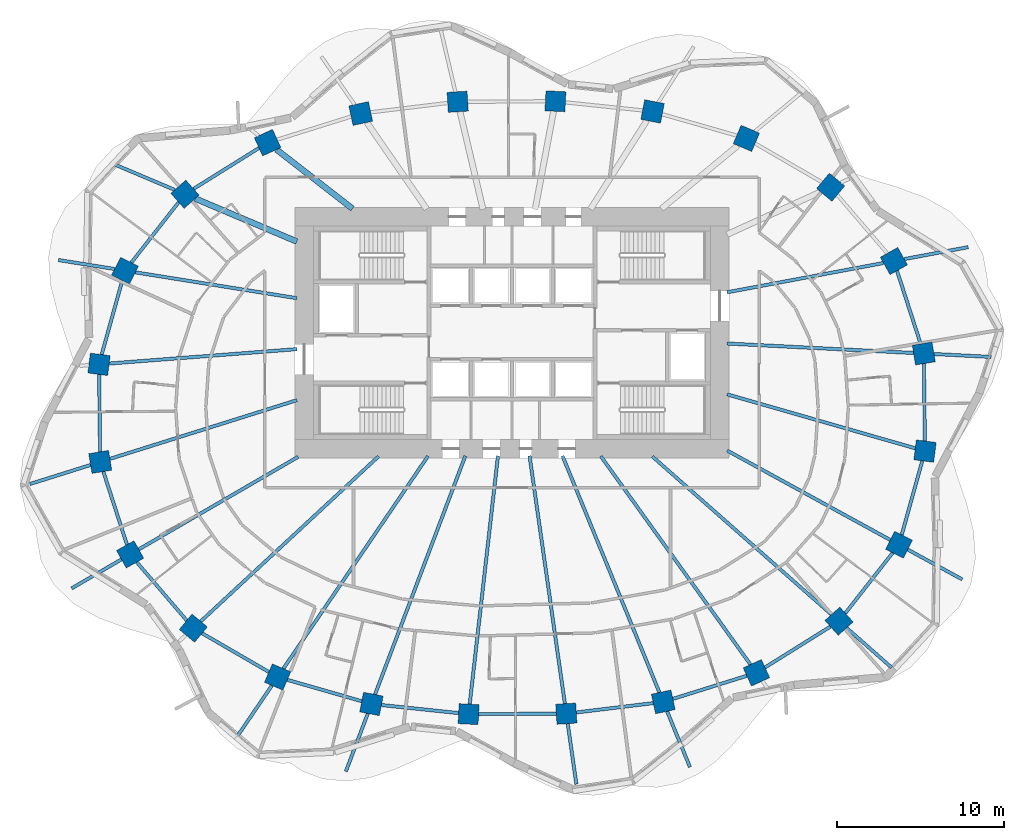
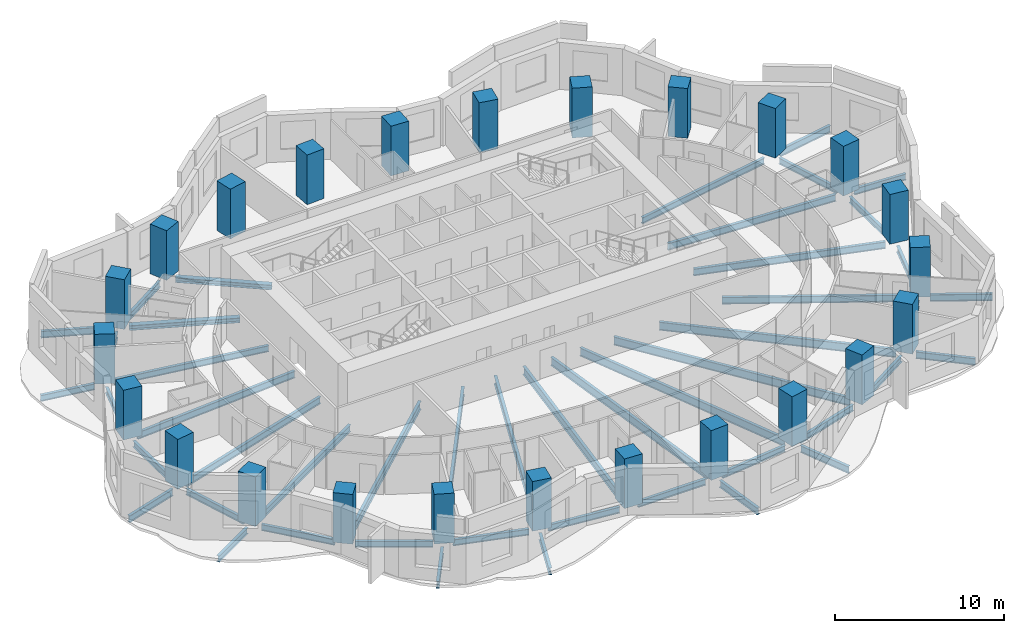
# One storey, part 1 of 11: 47 beams, 24 columns.
"""IFC4 building model written with IfcOpenShell, lengths in metres."""

from ifc_helpers import new_model, si_unit, direction, frame, origin, origin_2d, place, context, subcontext, project, spatial, rectangle, i_section, extrude, material, material_profile, profile_set, type_object, element, save


model = new_model("IFC4")

# Units and contexts
model_context = context("Model", 3, precision=1e-05, world=origin(), true_north=direction((0.0, 1.0)))
body_context = subcontext(model_context, "Body", "Model", "MODEL_VIEW")
ifc_project = project(units=[si_unit("LENGTHUNIT", "METRE"), si_unit("AREAUNIT", "SQUARE_METRE"), si_unit("VOLUMEUNIT", "CUBIC_METRE"), si_unit("PLANEANGLEUNIT", "RADIAN"), si_unit("MASSUNIT", "GRAM", prefix="KILO")], contexts=[model_context])

# Site, building, storey
site_placement = place(None, origin())
site = spatial("IfcSite", under=ifc_project, at=site_placement, CompositionType="ELEMENT")
building_placement = place(site_placement, origin())
building = spatial("IfcBuilding", under=site, at=building_placement, Name="Rubra Terraces Tower", CompositionType="ELEMENT")
storey_placement = place(building_placement, frame((0.0, 0.0, 114.0)))
storey = spatial("IfcBuildingStorey", under=building, at=storey_placement, Name="L27", CompositionType="ELEMENT", Elevation=114.0)

# Columns
ifc_material_1 = material(Name="Concrete C60", Category="concrete")
ifc_material_profile_1 = material_profile(ifc_material_1, rectangle(XDim=1.199951171875, YDim=1.199951171875, at=origin_2d()), Name="RC 1200x1200")
ifc_profile_set_1 = profile_set([ifc_material_profile_1], Name="Concrete C60")
column_type = type_object("IfcColumnType", Name="RING COLUMN RC 1200x1200 C60", PredefinedType="COLUMN", material=ifc_profile_set_1)
for number, where, z_axis, x_axis, name in (
    (1, (24.6689453125, 3.248046875, 0.0), (0.0, 0.0, 1.0), (-0.161559167715, 0.986863027642, 0.0), "column-L27-ring-01"),
    (2, (22.87890625, 8.787109375, 0.0), (0.0, 0.0, 1.0), (-0.48852601316, 0.872549330678, 0.0), "column-L27-ring-02"),
    (3, (19.092041015625, 13.208984375, 0.0), (0.0, 0.0, 1.0), (-0.76886986222, 0.63940529789, 0.0), "column-L27-ring-03"),
    (4, (14.0419921875, 16.135986328125, 0.0), (0.0, 0.0, 1.0), (-0.920167856842, 0.391524092789, 0.0), "column-L27-ring-04"),
    (5, (8.422119140625, 17.7490234375, 0.0), (0.0, 0.0, 1.0), (-0.981654668733, 0.19066754143, 0.0), "column-L27-ring-05"),
    (6, (2.60205078125, 18.35791015625, 0.0), (0.0, 0.0, 1.0), (-0.998764256028, 0.049698700995, 0.0), "column-L27-ring-06"),
    (7, (-3.25390625, 18.330078125, 0.0), (0.0, 0.0, 1.0), (-0.998031548759, -0.062713855578, 0.0), "column-L27-ring-07"),
    (8, (-9.06298828125, 17.625, 0.0), (0.0, 0.0, 1.0), (-0.977652674797, -0.210226657352, 0.0), "column-L27-ring-08"),
    (9, (-14.64306640625, 15.881103515625, 0.0), (0.0, 0.0, 1.0), (-0.908778580451, -0.417278673927, 0.0), "column-L27-ring-09"),
    (10, (-19.593017578125, 12.7900390625, 0.0), (0.0, 0.0, 1.0), (-0.744021317198, -0.668155879683, 0.0), "column-L27-ring-10"),
    (11, (-23.18505859375, 8.2099609375, 0.0), (0.0, 0.0, 1.0), (-0.451027931402, -0.892509834733, 0.0), "column-L27-ring-11"),
    (12, (-24.742919921875, 2.59912109375, 0.0), (0.0, 0.0, 1.0), (-0.128443684554, -0.991716804283, 0.0), "column-L27-ring-12"),
    (13, (-24.6689453125, -3.248046875, 0.0), (0.0, 0.0, 1.0), (0.161559167715, -0.986863027642, 0.0), "column-L27-ring-13"),
    (14, (-22.87890625, -8.787109375, 0.0), (0.0, 0.0, 1.0), (0.48852601316, -0.872549330678, 0.0), "column-L27-ring-14"),
    (15, (-19.092041015625, -13.208984375, 0.0), (0.0, 0.0, 1.0), (0.76886986222, -0.63940529789, 0.0), "column-L27-ring-15"),
    (16, (-14.0419921875, -16.135986328125, 0.0), (0.0, 0.0, 1.0), (0.920167856842, -0.391524092789, 0.0), "column-L27-ring-16"),
    (17, (-8.422119140625, -17.7490234375, 0.0), (0.0, 0.0, 1.0), (0.981654668733, -0.19066754143, 0.0), "column-L27-ring-17"),
    (18, (-2.60205078125, -18.35791015625, 0.0), (0.0, 0.0, 1.0), (0.998764256028, -0.049698700995, 0.0), "column-L27-ring-18"),
    (19, (3.25390625, -18.330078125, 0.0), (0.0, 0.0, 1.0), (0.998031548759, 0.062713855578, 0.0), "column-L27-ring-19"),
    (20, (9.06298828125, -17.625, 0.0), (0.0, 0.0, 1.0), (0.977652674797, 0.210226657352, 0.0), "column-L27-ring-20"),
    (21, (14.64306640625, -15.881103515625, 0.0), (0.0, 0.0, 1.0), (0.908778580451, 0.417278673927, 0.0), "column-L27-ring-21"),
    (22, (19.593017578125, -12.7900390625, 0.0), (0.0, 0.0, 1.0), (0.744021317198, 0.668155879683, 0.0), "column-L27-ring-22"),
    (23, (23.18505859375, -8.2099609375, 0.0), (0.0, 0.0, 1.0), (0.451027931402, 0.892509834733, 0.0), "column-L27-ring-23"),
    (24, (24.742919921875, -2.59912109375, 0.0), (0.0, 0.0, 1.0), (0.128443684554, 0.991716804283, 0.0), "column-L27-ring-24"),
):
    element("IfcColumn", number, at=place(storey_placement, frame(where, z_axis=z_axis, x_axis=x_axis)), inside=storey, type_object=column_type, Name=name, PredefinedType="COLUMN", context=body_context, shape_type="SweptSolid", body=[
        extrude(rectangle(XDim=1.199951171875, YDim=1.199951171875, at=origin_2d()), origin(), (0.0, 0.0, 1.0), 3.60009765625),
    ])

# Beams
ifc_material_2 = material(Name="Steel Q355B", Category="steel")
ifc_material_profile_2 = material_profile(ifc_material_2, i_section(OverallWidth=0.198974609375, OverallDepth=0.446044921875, WebThickness=0.008056640625, FlangeThickness=0.011962890625, at=origin_2d()), Name="HN 446x199x8x12")
ifc_profile_set_2 = profile_set([ifc_material_profile_2], Name="Steel Q355B")
beam_type_1 = type_object("IfcBeamType", Name="CANTILEVER BEAM HN 446x199x8x12", PredefinedType="BEAM", material=ifc_profile_set_2)
beam_1_placement = place(storey_placement, frame((25.281982421875, 3.217041015625, -0.423095703125), z_axis=(0.998713922491, -0.050700108703, 0.0), x_axis=(0.050700108703, 0.998713922491, 0.0)))
element("IfcBeam", 25, at=beam_1_placement, inside=storey, type_object=beam_type_1, Name="beam-L27-cant-01", PredefinedType="BEAM", context=body_context, shape_type="SweptSolid", body=[
    extrude(i_section(OverallWidth=0.198974609375, OverallDepth=0.446044921875, WebThickness=0.008056640625, FlangeThickness=0.011962890625, at=origin_2d()), origin(), (0.0, 0.0, 1.0), 3.433349609375),
])
beam_2_placement = place(storey_placement, frame((-23.806884765625, 8.31005859375, -0.423095703125), z_axis=(-0.987482149287, 0.157730798643, 0.0), x_axis=(-0.157730798643, -0.987482149287, 0.0)))
element("IfcBeam", 26, at=beam_2_placement, inside=storey, type_object=beam_type_1, Name="beam-L27-cant-11", PredefinedType="BEAM", context=body_context, shape_type="SweptSolid", body=[
    extrude(i_section(OverallWidth=0.198974609375, OverallDepth=0.446044921875, WebThickness=0.008056640625, FlangeThickness=0.011962890625, at=origin_2d()), origin(), (0.0, 0.0, 1.0), 3.409912109375),
])
beam_3_placement = place(storey_placement, frame((-23.39794921875, -9.087890625, -0.423095703125), z_axis=(-0.864651358246, -0.502372400399, 0.0), x_axis=(0.502372400399, -0.864651358246, 0.0)))
element("IfcBeam", 27, at=beam_3_placement, inside=storey, type_object=beam_type_1, Name="beam-L27-cant-14", PredefinedType="BEAM", context=body_context, shape_type="SweptSolid", body=[
    extrude(i_section(OverallWidth=0.198974609375, OverallDepth=0.446044921875, WebThickness=0.008056640625, FlangeThickness=0.011962890625, at=origin_2d()), origin(), (0.0, 0.0, 1.0), 3.455810546875),
])
ifc_material_profile_3 = material_profile(ifc_material_2, i_section(OverallWidth=0.198974609375, OverallDepth=0.49609375, WebThickness=0.009033203125, FlangeThickness=0.013916015625, at=origin_2d()), Name="HN 496x199x9x14")
ifc_profile_set_3 = profile_set([ifc_material_profile_3], Name="Steel Q355B")
beam_type_2 = type_object("IfcBeamType", Name="CANTILEVER BEAM HN 496x199x9x14", PredefinedType="BEAM", material=ifc_profile_set_3)
beam_4_placement = place(storey_placement, frame((23.5009765625, 8.904052734375, -0.447998046875), z_axis=(0.982931701767, 0.183970839159, 0.0), x_axis=(-0.183970839159, 0.982931701767, 0.0)))
element("IfcBeam", 28, at=beam_4_placement, inside=storey, type_object=beam_type_2, Name="beam-L27-cant-02", PredefinedType="BEAM", context=body_context, shape_type="SweptSolid", body=[
    extrude(i_section(OverallWidth=0.198974609375, OverallDepth=0.49609375, WebThickness=0.009033203125, FlangeThickness=0.013916015625, at=origin_2d()), origin(), (0.0, 0.0, 1.0), 3.8974609375),
])
beam_5_placement = place(storey_placement, frame((-20.202880859375, 13.048095703125, -0.447998046875), z_axis=(-0.921004779026, 0.389551276486, 0.0), x_axis=(-0.389551276486, -0.921004779026, 0.0)))
element("IfcBeam", 29, at=beam_5_placement, inside=storey, type_object=beam_type_2, Name="beam-L27-cant-10", PredefinedType="BEAM", context=body_context, shape_type="SweptSolid", body=[
    extrude(i_section(OverallWidth=0.198974609375, OverallDepth=0.49609375, WebThickness=0.009033203125, FlangeThickness=0.013916015625, at=origin_2d()), origin(), (0.0, 0.0, 1.0), 3.9501953125),
])
beam_6_placement = place(storey_placement, frame((-25.2470703125, -3.429931640625, -0.447998046875), z_axis=(-0.95408838008, -0.299525229314, 0.0), x_axis=(0.299525229314, -0.95408838008, 0.0)))
element("IfcBeam", 30, at=beam_6_placement, inside=storey, type_object=beam_type_2, Name="beam-L27-cant-13", PredefinedType="BEAM", context=body_context, shape_type="SweptSolid", body=[
    extrude(i_section(OverallWidth=0.198974609375, OverallDepth=0.49609375, WebThickness=0.009033203125, FlangeThickness=0.013916015625, at=origin_2d()), origin(), (0.0, 0.0, 1.0), 3.81298828125),
])
beam_7_placement = place(storey_placement, frame((-14.385986328125, -16.64208984375, -0.447998046875), z_axis=(-0.562603065228, -0.826727156319, 0.0), x_axis=(0.826727156319, -0.562603065228, 0.0)))
element("IfcBeam", 31, at=beam_7_placement, inside=storey, type_object=beam_type_2, Name="beam-L27-cant-16", PredefinedType="BEAM", context=body_context, shape_type="SweptSolid", body=[
    extrude(i_section(OverallWidth=0.198974609375, OverallDepth=0.49609375, WebThickness=0.009033203125, FlangeThickness=0.013916015625, at=origin_2d()), origin(), (0.0, 0.0, 1.0), 3.6455078125),
])
beam_8_placement = place(storey_placement, frame((-8.637939453125, -18.318115234375, -0.447998046875), z_axis=(-0.35401019473, -0.935241563462, 0.0), x_axis=(0.935241563462, -0.35401019473, 0.0)))
element("IfcBeam", 32, at=beam_8_placement, inside=storey, type_object=beam_type_2, Name="beam-L27-cant-17", PredefinedType="BEAM", context=body_context, shape_type="SweptSolid", body=[
    extrude(i_section(OverallWidth=0.198974609375, OverallDepth=0.49609375, WebThickness=0.009033203125, FlangeThickness=0.013916015625, at=origin_2d()), origin(), (0.0, 0.0, 1.0), 3.71435546875),
])
beam_9_placement = place(storey_placement, frame((3.339111328125, -18.926025390625, -0.447998046875), z_axis=(0.140964554765, -0.990014643478, 0.0), x_axis=(0.990014643478, 0.140964554765, 0.0)))
element("IfcBeam", 33, at=beam_9_placement, inside=storey, type_object=beam_type_2, Name="beam-L27-cant-19", PredefinedType="BEAM", context=body_context, shape_type="SweptSolid", body=[
    extrude(i_section(OverallWidth=0.198974609375, OverallDepth=0.49609375, WebThickness=0.009033203125, FlangeThickness=0.013916015625, at=origin_2d()), origin(), (0.0, 0.0, 1.0), 3.66650390625),
])
beam_10_placement = place(storey_placement, frame((9.2939453125, -18.18896484375, -0.447998046875), z_axis=(0.379028484882, -0.925385005091, 0.0), x_axis=(0.925385005091, 0.379028484882, 0.0)))
element("IfcBeam", 34, at=beam_10_placement, inside=storey, type_object=beam_type_2, Name="beam-L27-cant-20", PredefinedType="BEAM", context=body_context, shape_type="SweptSolid", body=[
    extrude(i_section(OverallWidth=0.198974609375, OverallDepth=0.49609375, WebThickness=0.009033203125, FlangeThickness=0.013916015625, at=origin_2d()), origin(), (0.0, 0.0, 1.0), 3.603759765625),
])
beam_11_placement = place(storey_placement, frame((20.0458984375, -13.18994140625, -0.447998046875), z_axis=(0.749798224805, -0.661666549011, 0.0), x_axis=(0.661666549011, 0.749798224805, 0.0)))
element("IfcBeam", 35, at=beam_11_placement, inside=storey, type_object=beam_type_2, Name="beam-L27-cant-22", PredefinedType="BEAM", context=body_context, shape_type="SweptSolid", body=[
    extrude(i_section(OverallWidth=0.198974609375, OverallDepth=0.49609375, WebThickness=0.009033203125, FlangeThickness=0.013916015625, at=origin_2d()), origin(), (0.0, 0.0, 1.0), 3.595703125),
])
beam_12_placement = place(storey_placement, frame((23.7109375, -8.4990234375, -0.447998046875), z_axis=(0.876912420627, -0.48065019146, 0.0), x_axis=(0.48065019146, 0.876912420627, 0.0)))
element("IfcBeam", 36, at=beam_12_placement, inside=storey, type_object=beam_type_2, Name="beam-L27-cant-23", PredefinedType="BEAM", context=body_context, shape_type="SweptSolid", body=[
    extrude(i_section(OverallWidth=0.198974609375, OverallDepth=0.49609375, WebThickness=0.009033203125, FlangeThickness=0.013916015625, at=origin_2d()), origin(), (0.0, 0.0, 1.0), 3.717529296875),
])
ifc_material_profile_4 = material_profile(ifc_material_2, i_section(OverallWidth=0.198974609375, OverallDepth=0.446044921875, WebThickness=0.008056640625, FlangeThickness=0.011962890625, at=origin_2d()), Name="HN 446x199x8x12")
ifc_profile_set_4 = profile_set([ifc_material_profile_4], Name="Steel Q355B")
beam_type_3 = type_object("IfcBeamType", Name="FLOOR BEAM HN 446x199x8x12", PredefinedType="BEAM", material=ifc_profile_set_4)
beam_13_placement = place(storey_placement, frame((22.257080078125, 8.669921875, -0.423095703125), z_axis=(-0.982909257943, -0.184090713102, 0.0), x_axis=(0.184090713102, -0.982909257943, 0.0)))
element("IfcBeam", 37, at=beam_13_placement, inside=storey, type_object=beam_type_3, Name="beam-L27-floor-02", PredefinedType="BEAM", context=body_context, shape_type="SweptSolid", body=[
    extrude(i_section(OverallWidth=0.198974609375, OverallDepth=0.446044921875, WebThickness=0.008056640625, FlangeThickness=0.011962890625, at=origin_2d()), origin(), (0.0, 0.0, 1.0), 9.5380859375),
])
beam_14_placement = place(storey_placement, frame((-22.56298828125, 8.110107421875, -0.423095703125), z_axis=(0.987438611706, -0.158003126908, 0.0), x_axis=(0.158003126908, 0.987438611706, 0.0)))
element("IfcBeam", 38, at=beam_14_placement, inside=storey, type_object=beam_type_3, Name="beam-L27-floor-11", PredefinedType="BEAM", context=body_context, shape_type="SweptSolid", body=[
    extrude(i_section(OverallWidth=0.198974609375, OverallDepth=0.446044921875, WebThickness=0.008056640625, FlangeThickness=0.011962890625, at=origin_2d()), origin(), (0.0, 0.0, 1.0), 9.803955078125),
])
ifc_material_profile_5 = material_profile(ifc_material_2, i_section(OverallWidth=0.198974609375, OverallDepth=0.49609375, WebThickness=0.009033203125, FlangeThickness=0.013916015625, at=origin_2d()), Name="HN 496x199x9x14")
ifc_profile_set_5 = profile_set([ifc_material_profile_5], Name="Steel Q355B")
beam_type_4 = type_object("IfcBeamType", Name="FLOOR BEAM HN 496x199x9x14", PredefinedType="BEAM", material=ifc_profile_set_5)
beam_15_placement = place(storey_placement, frame((24.055908203125, 3.279052734375, -0.447998046875), z_axis=(-0.998716006853, 0.050659033312, 0.0), x_axis=(-0.050659033312, -0.998716006853, 0.0)))
element("IfcBeam", 39, at=beam_15_placement, inside=storey, type_object=beam_type_4, Name="beam-L27-floor-01", PredefinedType="BEAM", context=body_context, shape_type="SweptSolid", body=[
    extrude(i_section(OverallWidth=0.198974609375, OverallDepth=0.49609375, WebThickness=0.009033203125, FlangeThickness=0.013916015625, at=origin_2d()), origin(), (0.0, 0.0, 1.0), 11.1904296875),
])
beam_16_placement = place(storey_placement, frame((-24.132080078125, 2.64599609375, -0.447998046875), z_axis=(0.99706491124, 0.076560843604, 0.0), x_axis=(-0.076560843604, 0.99706491124, 0.0)))
element("IfcBeam", 40, at=beam_16_placement, inside=storey, type_object=beam_type_4, Name="beam-L27-floor-12", PredefinedType="BEAM", context=body_context, shape_type="SweptSolid", body=[
    extrude(i_section(OverallWidth=0.198974609375, OverallDepth=0.49609375, WebThickness=0.009033203125, FlangeThickness=0.013916015625, at=origin_2d()), origin(), (0.0, 0.0, 1.0), 11.285400390625),
])
beam_17_placement = place(storey_placement, frame((-24.091064453125, -3.06591796875, -0.447998046875), z_axis=(0.954061815263, 0.299609834046, 0.0), x_axis=(-0.299609834046, 0.954061815263, 0.0)))
element("IfcBeam", 41, at=beam_17_placement, inside=storey, type_object=beam_type_4, Name="beam-L27-floor-13", PredefinedType="BEAM", context=body_context, shape_type="SweptSolid", body=[
    extrude(i_section(OverallWidth=0.198974609375, OverallDepth=0.49609375, WebThickness=0.009033203125, FlangeThickness=0.013916015625, at=origin_2d()), origin(), (0.0, 0.0, 1.0), 11.74462890625),
])
beam_18_placement = place(storey_placement, frame((-22.360107421875, -8.486083984375, -0.447998046875), z_axis=(0.864729170152, 0.502238451623, 0.0), x_axis=(-0.502238451623, 0.864729170152, 0.0)))
element("IfcBeam", 42, at=beam_18_placement, inside=storey, type_object=beam_type_4, Name="beam-L27-floor-14", PredefinedType="BEAM", context=body_context, shape_type="SweptSolid", body=[
    extrude(i_section(OverallWidth=0.198974609375, OverallDepth=0.49609375, WebThickness=0.009033203125, FlangeThickness=0.013916015625, at=origin_2d()), origin(), (0.0, 0.0, 1.0), 11.04296875),
])
beam_19_placement = place(storey_placement, frame((22.658935546875, -7.9208984375, -0.447998046875), z_axis=(-0.876910796921, 0.480653153785, 0.0), x_axis=(-0.480653153785, -0.876910796921, 0.0)))
element("IfcBeam", 43, at=beam_19_placement, inside=storey, type_object=beam_type_4, Name="beam-L27-floor-23", PredefinedType="BEAM", context=body_context, shape_type="SweptSolid", body=[
    extrude(i_section(OverallWidth=0.198974609375, OverallDepth=0.49609375, WebThickness=0.009033203125, FlangeThickness=0.013916015625, at=origin_2d()), origin(), (0.0, 0.0, 1.0), 11.134521484375),
])
beam_20_placement = place(storey_placement, frame((24.159912109375, -2.431884765625, -0.447998046875), z_axis=(-0.9612201884, 0.275782068691, 0.0), x_axis=(-0.275782068691, -0.9612201884, 0.0)))
element("IfcBeam", 44, at=beam_20_placement, inside=storey, type_object=beam_type_4, Name="beam-L27-floor-24", PredefinedType="BEAM", context=body_context, shape_type="SweptSolid", body=[
    extrude(i_section(OverallWidth=0.198974609375, OverallDepth=0.49609375, WebThickness=0.009033203125, FlangeThickness=0.013916015625, at=origin_2d()), origin(), (0.0, 0.0, 1.0), 11.729736328125),
])
ifc_material_profile_6 = material_profile(ifc_material_2, i_section(OverallWidth=0.198974609375, OverallDepth=0.595947265625, WebThickness=0.010009765625, FlangeThickness=0.014892578125, at=origin_2d()), Name="HN 596x199x10x15")
ifc_profile_set_6 = profile_set([ifc_material_profile_6], Name="Steel Q355B")
beam_type_5 = type_object("IfcBeamType", Name="FLOOR BEAM HN 596x199x10x15", PredefinedType="BEAM", material=ifc_profile_set_6)
beam_21_placement = place(storey_placement, frame((-18.64794921875, -12.798095703125, -0.498046875), z_axis=(0.733104668463, 0.680115832104, 0.0), x_axis=(-0.680115832104, 0.733104668463, 0.0)))
element("IfcBeam", 45, at=beam_21_placement, inside=storey, type_object=beam_type_5, Name="beam-L27-floor-15", PredefinedType="BEAM", context=body_context, shape_type="SweptSolid", body=[
    extrude(i_section(OverallWidth=0.198974609375, OverallDepth=0.595947265625, WebThickness=0.010009765625, FlangeThickness=0.014892578125, at=origin_2d()), origin(), (0.0, 0.0, 1.0), 14.527099609375),
])
beam_22_placement = place(storey_placement, frame((-13.697998046875, -15.6298828125, -0.498046875), z_axis=(0.562593638313, 0.82673357143, 0.0), x_axis=(-0.82673357143, 0.562593638313, 0.0)))
element("IfcBeam", 46, at=beam_22_placement, inside=storey, type_object=beam_type_5, Name="beam-L27-floor-16", PredefinedType="BEAM", context=body_context, shape_type="SweptSolid", body=[
    extrude(i_section(OverallWidth=0.198974609375, OverallDepth=0.595947265625, WebThickness=0.010009765625, FlangeThickness=0.014892578125, at=origin_2d()), origin(), (0.0, 0.0, 1.0), 15.396728515625),
])
beam_23_placement = place(storey_placement, frame((-8.2060546875, -17.179931640625, -0.498046875), z_axis=(0.35395819717, 0.935261244068, 0.0), x_axis=(-0.935261244068, 0.35395819717, 0.0)))
element("IfcBeam", 47, at=beam_23_placement, inside=storey, type_object=beam_type_5, Name="beam-L27-floor-17", PredefinedType="BEAM", context=body_context, shape_type="SweptSolid", body=[
    extrude(i_section(OverallWidth=0.198974609375, OverallDepth=0.595947265625, WebThickness=0.010009765625, FlangeThickness=0.014892578125, at=origin_2d()), origin(), (0.0, 0.0, 1.0), 15.28125),
])
beam_24_placement = place(storey_placement, frame((-2.533935546875, -17.760986328125, -0.498046875), z_axis=(0.113104280783, 0.993583122677, 0.0), x_axis=(-0.993583122677, 0.113104280783, 0.0)))
element("IfcBeam", 48, at=beam_24_placement, inside=storey, type_object=beam_type_5, Name="beam-L27-floor-18", PredefinedType="BEAM", context=body_context, shape_type="SweptSolid", body=[
    extrude(i_section(OverallWidth=0.198974609375, OverallDepth=0.595947265625, WebThickness=0.010009765625, FlangeThickness=0.014892578125, at=origin_2d()), origin(), (0.0, 0.0, 1.0), 14.97607421875),
])
beam_25_placement = place(storey_placement, frame((3.1689453125, -17.73388671875, -0.498046875), z_axis=(-0.141102399867, 0.989995006428, 0.0), x_axis=(-0.989995006428, -0.141102399867, 0.0)))
element("IfcBeam", 49, at=beam_25_placement, inside=storey, type_object=beam_type_5, Name="beam-L27-floor-19", PredefinedType="BEAM", context=body_context, shape_type="SweptSolid", body=[
    extrude(i_section(OverallWidth=0.198974609375, OverallDepth=0.595947265625, WebThickness=0.010009765625, FlangeThickness=0.014892578125, at=origin_2d()), origin(), (0.0, 0.0, 1.0), 15.0029296875),
])
beam_26_placement = place(storey_placement, frame((8.83203125, -17.06103515625, -0.498046875), z_axis=(-0.379038143634, 0.925381048904, 0.0), x_axis=(-0.925381048904, -0.379038143634, 0.0)))
element("IfcBeam", 50, at=beam_26_placement, inside=storey, type_object=beam_type_5, Name="beam-L27-floor-20", PredefinedType="BEAM", context=body_context, shape_type="SweptSolid", body=[
    extrude(i_section(OverallWidth=0.198974609375, OverallDepth=0.595947265625, WebThickness=0.010009765625, FlangeThickness=0.014892578125, at=origin_2d()), origin(), (0.0, 0.0, 1.0), 15.31494140625),
])
beam_27_placement = place(storey_placement, frame((14.285888671875, -15.385009765625, -0.498046875), z_axis=(-0.583480892091, 0.812126867284, 0.0), x_axis=(-0.812126867284, -0.583480892091, 0.0)))
element("IfcBeam", 51, at=beam_27_placement, inside=storey, type_object=beam_type_5, Name="beam-L27-floor-21", PredefinedType="BEAM", context=body_context, shape_type="SweptSolid", body=[
    extrude(i_section(OverallWidth=0.198974609375, OverallDepth=0.595947265625, WebThickness=0.010009765625, FlangeThickness=0.014892578125, at=origin_2d()), origin(), (0.0, 0.0, 1.0), 15.369384765625),
])
beam_28_placement = place(storey_placement, frame((19.139892578125, -12.389892578125, -0.498046875), z_axis=(-0.749820430817, 0.661641384384, 0.0), x_axis=(-0.661641384384, -0.749820430817, 0.0)))
element("IfcBeam", 52, at=beam_28_placement, inside=storey, type_object=beam_type_5, Name="beam-L27-floor-22", PredefinedType="BEAM", context=body_context, shape_type="SweptSolid", body=[
    extrude(i_section(OverallWidth=0.198974609375, OverallDepth=0.595947265625, WebThickness=0.010009765625, FlangeThickness=0.014892578125, at=origin_2d()), origin(), (0.0, 0.0, 1.0), 14.311279296875),
])
ifc_material_profile_7 = material_profile(ifc_material_2, i_section(OverallWidth=0.35009765625, OverallDepth=0.35009765625, WebThickness=0.011962890625, FlangeThickness=0.01904296875, at=origin_2d()), Name="HW 350x350x12x19")
ifc_profile_set_7 = profile_set([ifc_material_profile_7], Name="Steel Q355B")
beam_type_6 = type_object("IfcBeamType", Name="FLOOR BEAM HW 350x350x12x19", PredefinedType="BEAM", material=ifc_profile_set_7)
beam_29_placement = place(storey_placement, frame((-14.10888671875, 15.466064453125, -0.375), z_axis=(0.789514006973, -0.613732541742, 0.0), x_axis=(0.613732541742, 0.789514006973, 0.0)))
element("IfcBeam", 53, at=beam_29_placement, inside=storey, type_object=beam_type_6, Name="beam-L27-floor-09", PredefinedType="BEAM", context=body_context, shape_type="SweptSolid", body=[
    extrude(i_section(OverallWidth=0.35009765625, OverallDepth=0.35009765625, WebThickness=0.011962890625, FlangeThickness=0.01904296875, at=origin_2d()), origin(), (0.0, 0.0, 1.0), 5.76806640625),
])
beam_30_placement = place(storey_placement, frame((-18.98291015625, 12.531982421875, -0.375), z_axis=(0.920986092, -0.389595454726, 0.0), x_axis=(0.389595454726, 0.920986092, 0.0)))
element("IfcBeam", 54, at=beam_30_placement, inside=storey, type_object=beam_type_6, Name="beam-L27-floor-10", PredefinedType="BEAM", context=body_context, shape_type="SweptSolid", body=[
    extrude(i_section(OverallWidth=0.35009765625, OverallDepth=0.35009765625, WebThickness=0.011962890625, FlangeThickness=0.01904296875, at=origin_2d()), origin(), (0.0, 0.0, 1.0), 6.61669921875),
])
ifc_material_profile_8 = material_profile(ifc_material_2, i_section(OverallWidth=0.198974609375, OverallDepth=0.446044921875, WebThickness=0.008056640625, FlangeThickness=0.011962890625, at=origin_2d()), Name="HN 446x199x8x12")
ifc_profile_set_8 = profile_set([ifc_material_profile_8], Name="Steel Q355B")
beam_type_7 = type_object("IfcBeamType", Name="SPANDREL BEAM HN 446x199x8x12", PredefinedType="SPANDREL", material=ifc_profile_set_8)
beam_31_placement = place(storey_placement, frame((24.48193359375, 3.824951171875, -0.423095703125), z_axis=(-0.307414966872, 0.951575555667, 0.0), x_axis=(-0.951575555667, -0.307414966872, 0.0)))
element("IfcBeam", 55, at=beam_31_placement, inside=storey, type_object=beam_type_7, Name="beam-L27-spandrel-01", PredefinedType="SPANDREL", context=body_context, shape_type="SweptSolid", body=[
    extrude(i_section(OverallWidth=0.198974609375, OverallDepth=0.446044921875, WebThickness=0.008056640625, FlangeThickness=0.011962890625, at=origin_2d()), origin(), (0.0, 0.0, 1.0), 4.60302734375),
])
beam_32_placement = place(storey_placement, frame((-15.156005859375, 15.56103515625, -0.423095703125), z_axis=(-0.848188188849, -0.529695003089, 0.0), x_axis=(0.529695003089, -0.848188188849, 0.0)))
element("IfcBeam", 56, at=beam_32_placement, inside=storey, type_object=beam_type_7, Name="beam-L27-spandrel-09", PredefinedType="SPANDREL", context=body_context, shape_type="SweptSolid", body=[
    extrude(i_section(OverallWidth=0.198974609375, OverallDepth=0.446044921875, WebThickness=0.008056640625, FlangeThickness=0.011962890625, at=origin_2d()), origin(), (0.0, 0.0, 1.0), 4.62158203125),
])
beam_33_placement = place(storey_placement, frame((-19.968994140625, 12.31103515625, -0.423095703125), z_axis=(-0.61694919408, -0.787002980886, 0.0), x_axis=(0.787002980886, -0.61694919408, 0.0)))
element("IfcBeam", 57, at=beam_33_placement, inside=storey, type_object=beam_type_7, Name="beam-L27-spandrel-10", PredefinedType="SPANDREL", context=body_context, shape_type="SweptSolid", body=[
    extrude(i_section(OverallWidth=0.198974609375, OverallDepth=0.446044921875, WebThickness=0.008056640625, FlangeThickness=0.011962890625, at=origin_2d()), origin(), (0.0, 0.0, 1.0), 4.599853515625),
])
beam_34_placement = place(storey_placement, frame((-23.34912109375, 7.6201171875, -0.423095703125), z_axis=(-0.26752901479, -0.963549804756, 0.0), x_axis=(0.963549804756, -0.26752901479, 0.0)))
element("IfcBeam", 58, at=beam_34_placement, inside=storey, type_object=beam_type_7, Name="beam-L27-spandrel-11", PredefinedType="SPANDREL", context=body_context, shape_type="SweptSolid", body=[
    extrude(i_section(OverallWidth=0.198974609375, OverallDepth=0.446044921875, WebThickness=0.008056640625, FlangeThickness=0.011962890625, at=origin_2d()), origin(), (0.0, 0.0, 1.0), 4.60498046875),
])
beam_35_placement = place(storey_placement, frame((-24.735107421875, 1.992919921875, -0.423095703125), z_axis=(0.012537869063, -0.999921397831, 0.0), x_axis=(0.999921397831, 0.012537869063, 0.0)))
element("IfcBeam", 59, at=beam_35_placement, inside=storey, type_object=beam_type_7, Name="beam-L27-spandrel-12", PredefinedType="SPANDREL", context=body_context, shape_type="SweptSolid", body=[
    extrude(i_section(OverallWidth=0.198974609375, OverallDepth=0.446044921875, WebThickness=0.008056640625, FlangeThickness=0.011962890625, at=origin_2d()), origin(), (0.0, 0.0, 1.0), 4.63427734375),
])
beam_36_placement = place(storey_placement, frame((-24.48193359375, -3.824951171875, -0.423095703125), z_axis=(0.307414966872, -0.951575555667, 0.0), x_axis=(0.951575555667, 0.307414966872, 0.0)))
element("IfcBeam", 60, at=beam_36_placement, inside=storey, type_object=beam_type_7, Name="beam-L27-spandrel-13", PredefinedType="SPANDREL", context=body_context, shape_type="SweptSolid", body=[
    extrude(i_section(OverallWidth=0.198974609375, OverallDepth=0.446044921875, WebThickness=0.008056640625, FlangeThickness=0.011962890625, at=origin_2d()), origin(), (0.0, 0.0, 1.0), 4.60302734375),
])
beam_37_placement = place(storey_placement, frame((-22.48095703125, -9.251953125, -0.423095703125), z_axis=(0.650428637413, -0.759567368726, 0.0), x_axis=(0.759567368726, 0.650428637413, 0.0)))
element("IfcBeam", 61, at=beam_37_placement, inside=storey, type_object=beam_type_7, Name="beam-L27-spandrel-14", PredefinedType="SPANDREL", context=body_context, shape_type="SweptSolid", body=[
    extrude(i_section(OverallWidth=0.198974609375, OverallDepth=0.446044921875, WebThickness=0.008056640625, FlangeThickness=0.011962890625, at=origin_2d()), origin(), (0.0, 0.0, 1.0), 4.6015625),
])
beam_38_placement = place(storey_placement, frame((-18.56494140625, -13.513916015625, -0.423095703125), z_axis=(0.865116425734, -0.501571101565, 0.0), x_axis=(0.501571101565, 0.865116425734, 0.0)))
element("IfcBeam", 62, at=beam_38_placement, inside=storey, type_object=beam_type_7, Name="beam-L27-spandrel-15", PredefinedType="SPANDREL", context=body_context, shape_type="SweptSolid", body=[
    extrude(i_section(OverallWidth=0.198974609375, OverallDepth=0.446044921875, WebThickness=0.008056640625, FlangeThickness=0.011962890625, at=origin_2d()), origin(), (0.0, 0.0, 1.0), 4.62353515625),
])
beam_39_placement = place(storey_placement, frame((-13.4609375, -16.302978515625, -0.423095703125), z_axis=(0.961195652649, -0.275867572085, 0.0), x_axis=(0.275867572085, 0.961195652649, 0.0)))
element("IfcBeam", 63, at=beam_39_placement, inside=storey, type_object=beam_type_7, Name="beam-L27-spandrel-16", PredefinedType="SPANDREL", context=body_context, shape_type="SweptSolid", body=[
    extrude(i_section(OverallWidth=0.198974609375, OverallDepth=0.446044921875, WebThickness=0.008056640625, FlangeThickness=0.011962890625, at=origin_2d()), origin(), (0.0, 0.0, 1.0), 4.639892578125),
])
beam_40_placement = place(storey_placement, frame((-7.822998046875, -17.81201171875, -0.423095703125), z_axis=(0.994588599148, -0.103891859374, 0.0), x_axis=(0.103891859374, 0.994588599148, 0.0)))
element("IfcBeam", 64, at=beam_40_placement, inside=storey, type_object=beam_type_7, Name="beam-L27-spandrel-17", PredefinedType="SPANDREL", context=body_context, shape_type="SweptSolid", body=[
    extrude(i_section(OverallWidth=0.198974609375, OverallDepth=0.446044921875, WebThickness=0.008056640625, FlangeThickness=0.011962890625, at=origin_2d()), origin(), (0.0, 0.0, 1.0), 4.648193359375),
])
beam_41_placement = place(storey_placement, frame((-2.0009765625, -18.35498046875, -0.423095703125), z_axis=(0.99998885538, 0.004721135025, 0.0), x_axis=(-0.004721135025, 0.99998885538, 0.0)))
element("IfcBeam", 65, at=beam_41_placement, inside=storey, type_object=beam_type_7, Name="beam-L27-spandrel-18", PredefinedType="SPANDREL", context=body_context, shape_type="SweptSolid", body=[
    extrude(i_section(OverallWidth=0.198974609375, OverallDepth=0.446044921875, WebThickness=0.008056640625, FlangeThickness=0.011962890625, at=origin_2d()), origin(), (0.0, 0.0, 1.0), 4.654052734375),
])
beam_42_placement = place(storey_placement, frame((3.85107421875, -18.258056640625, -0.423095703125), z_axis=(0.992713612833, 0.120497646851, 0.0), x_axis=(-0.120497646851, 0.992713612833, 0.0)))
element("IfcBeam", 66, at=beam_42_placement, inside=storey, type_object=beam_type_7, Name="beam-L27-spandrel-19", PredefinedType="SPANDREL", context=body_context, shape_type="SweptSolid", body=[
    extrude(i_section(OverallWidth=0.198974609375, OverallDepth=0.446044921875, WebThickness=0.008056640625, FlangeThickness=0.011962890625, at=origin_2d()), origin(), (0.0, 0.0, 1.0), 4.64794921875),
])
beam_43_placement = place(storey_placement, frame((9.637939453125, -17.445068359375, -0.423095703125), z_axis=(0.954462184919, 0.298331925142, 0.0), x_axis=(-0.298331925142, 0.954462184919, 0.0)))
element("IfcBeam", 67, at=beam_43_placement, inside=storey, type_object=beam_type_7, Name="beam-L27-spandrel-20", PredefinedType="SPANDREL", context=body_context, shape_type="SweptSolid", body=[
    extrude(i_section(OverallWidth=0.198974609375, OverallDepth=0.446044921875, WebThickness=0.008056640625, FlangeThickness=0.011962890625, at=origin_2d()), origin(), (0.0, 0.0, 1.0), 4.63916015625),
])
beam_44_placement = place(storey_placement, frame((15.156005859375, -15.56103515625, -0.423095703125), z_axis=(0.848188188849, 0.529695003089, 0.0), x_axis=(-0.529695003089, 0.848188188849, 0.0)))
element("IfcBeam", 68, at=beam_44_placement, inside=storey, type_object=beam_type_7, Name="beam-L27-spandrel-21", PredefinedType="SPANDREL", context=body_context, shape_type="SweptSolid", body=[
    extrude(i_section(OverallWidth=0.198974609375, OverallDepth=0.446044921875, WebThickness=0.008056640625, FlangeThickness=0.011962890625, at=origin_2d()), origin(), (0.0, 0.0, 1.0), 4.62158203125),
])
beam_45_placement = place(storey_placement, frame((19.968994140625, -12.31103515625, -0.423095703125), z_axis=(0.61694919408, 0.787002980886, 0.0), x_axis=(-0.787002980886, 0.61694919408, 0.0)))
element("IfcBeam", 69, at=beam_45_placement, inside=storey, type_object=beam_type_7, Name="beam-L27-spandrel-22", PredefinedType="SPANDREL", context=body_context, shape_type="SweptSolid", body=[
    extrude(i_section(OverallWidth=0.198974609375, OverallDepth=0.446044921875, WebThickness=0.008056640625, FlangeThickness=0.011962890625, at=origin_2d()), origin(), (0.0, 0.0, 1.0), 4.599853515625),
])
beam_46_placement = place(storey_placement, frame((23.34912109375, -7.6201171875, -0.423095703125), z_axis=(0.26752901479, 0.963549804756, 0.0), x_axis=(-0.963549804756, 0.26752901479, 0.0)))
element("IfcBeam", 70, at=beam_46_placement, inside=storey, type_object=beam_type_7, Name="beam-L27-spandrel-23", PredefinedType="SPANDREL", context=body_context, shape_type="SweptSolid", body=[
    extrude(i_section(OverallWidth=0.198974609375, OverallDepth=0.446044921875, WebThickness=0.008056640625, FlangeThickness=0.011962890625, at=origin_2d()), origin(), (0.0, 0.0, 1.0), 4.60498046875),
])
beam_47_placement = place(storey_placement, frame((24.735107421875, -1.992919921875, -0.423095703125), z_axis=(-0.012537869063, 0.999921397831, 0.0), x_axis=(-0.999921397831, -0.012537869063, 0.0)))
element("IfcBeam", 71, at=beam_47_placement, inside=storey, type_object=beam_type_7, Name="beam-L27-spandrel-24", PredefinedType="SPANDREL", context=body_context, shape_type="SweptSolid", body=[
    extrude(i_section(OverallWidth=0.198974609375, OverallDepth=0.446044921875, WebThickness=0.008056640625, FlangeThickness=0.011962890625, at=origin_2d()), origin(), (0.0, 0.0, 1.0), 4.63427734375),
])

save(model, "model.ifc")
